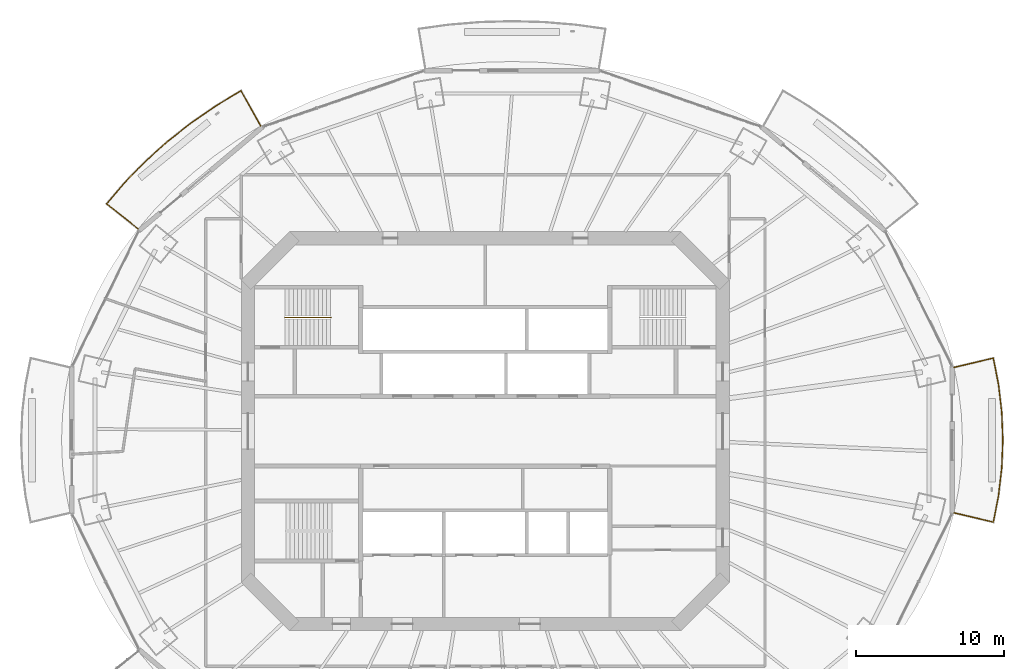
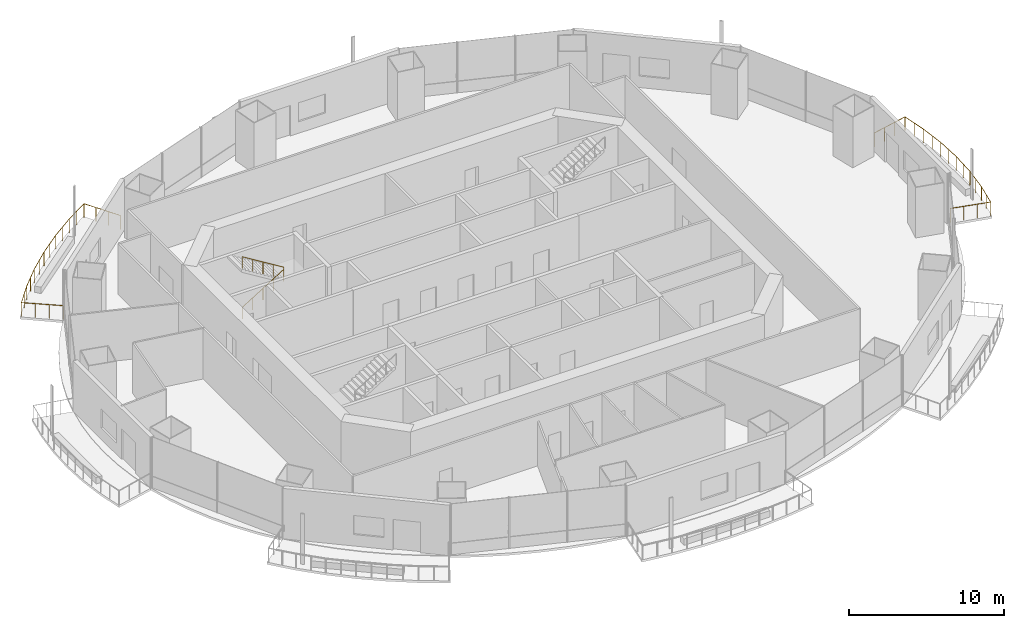
# One storey, part 16 of 19: 3 railings.
"""IFC4 building model written with IfcOpenShell, lengths in metres."""

from ifc_helpers import new_model, si_unit, direction, frame, origin, origin_2d, place, context, subcontext, project, spatial, circle, extrude, material, type_object, element, save


model = new_model("IFC4")

# Units and contexts
model_context = context("Model", 3, precision=1e-05, world=origin(), true_north=direction((0.0, 1.0)))
body_context = subcontext(model_context, "Body", "Model", "MODEL_VIEW")
ifc_project = project(units=[si_unit("LENGTHUNIT", "METRE"), si_unit("AREAUNIT", "SQUARE_METRE"), si_unit("VOLUMEUNIT", "CUBIC_METRE"), si_unit("PLANEANGLEUNIT", "RADIAN"), si_unit("MASSUNIT", "GRAM", prefix="KILO")], contexts=[model_context])

# Site, building, storey
site_placement = place(None, origin())
site = spatial("IfcSite", under=ifc_project, at=site_placement, CompositionType="ELEMENT")
building_placement = place(site_placement, origin())
building = spatial("IfcBuilding", under=site, at=building_placement, Name="Marenthal Gate Tower", CompositionType="ELEMENT")
storey_placement = place(building_placement, frame((0.0, 0.0, 235.75)))
storey = spatial("IfcBuildingStorey", under=building, at=storey_placement, Name="L52", CompositionType="ELEMENT", Elevation=235.75)

# Railings
ifc_material_1 = material(Name="Stainless steel", Category="steel")
railing_type_1 = type_object("IfcRailingType", Name="Balcony guard 1100", PredefinedType="GUARDRAIL", material=ifc_material_1)
railing_1_placement = place(storey_placement, frame((-23.397705078125, 13.64013671875, 0.0)))
element("IfcRailing", 1, at=railing_1_placement, inside=storey, type_object=railing_type_1, Name="Balcony guard L52 bay 6", PredefinedType="GUARDRAIL", context=body_context, shape_type="SweptSolid", body=[
    extrude(circle(Radius=0.02392578125, at=origin_2d()), frame((0.0, 0.0, 1.076171875), z_axis=(-0.782933460254, 0.62193132503, -0.014718143911), x_axis=(-0.621998698528, -0.783018275029, 0.0)), (0.0, 0.0, 1.0), 2.720458984375),
    extrude(circle(Radius=0.02392578125, at=origin_2d()), frame((-2.1298828125, 1.69189453125, 1.0361328125), z_axis=(0.649843765812, 0.760067812787, 0.0), x_axis=(-0.760067812787, 0.649843765812, 0.0)), (0.0, 0.0, 1.0), 1.889404296875),
    extrude(circle(Radius=0.02392578125, at=origin_2d()), frame((-0.902099609375, 3.1279296875, 1.0361328125), z_axis=(0.698634154887, 0.715479082591, 0.0), x_axis=(-0.715479082591, 0.698634154887, 0.0)), (0.0, 0.0, 1.0), 1.985595703125),
    extrude(circle(Radius=0.02392578125, at=origin_2d()), frame((0.485107421875, 4.548583984375, 1.0361328125), z_axis=(0.74429356056, 0.667852600286, 0.0), x_axis=(-0.667852600286, 0.74429356056, 0.0)), (0.0, 0.0, 1.0), 2.00244140625),
    extrude(circle(Radius=0.02392578125, at=origin_2d()), frame((1.9755859375, 5.885986328125, 1.0361328125), z_axis=(0.785705367394, 0.618600901752, 0.0), x_axis=(-0.618600901752, 0.785705367394, 0.0)), (0.0, 0.0, 1.0), 2.01904296875),
    extrude(circle(Radius=0.02392578125, at=origin_2d()), frame((3.56201171875, 7.135009765625, 1.0361328125), z_axis=(0.823162524927, 0.567805827335, 0.0), x_axis=(-0.567805827335, 0.823162524927, 0.0)), (0.0, 0.0, 1.0), 2.035400390625),
    extrude(circle(Radius=0.02392578125, at=origin_2d()), frame((5.237548828125, 8.290771484375, 1.0361328125), z_axis=(0.85600344742, 0.516970113262, 0.0), x_axis=(-0.516970113262, 0.85600344742, 0.0)), (0.0, 0.0, 1.0), 1.9716796875),
    extrude(circle(Radius=0.02392578125, at=origin_2d()), frame((6.92529296875, 9.31005859375, 1.0361328125), z_axis=(0.489935400912, -0.871634477681, 0.014718704112), x_axis=(0.87172890858, 0.489988479401, 0.0)), (0.0, 0.0, 1.0), 2.72021484375),
    extrude(circle(Radius=0.02099609375, at=origin_2d()), origin(), (0.0, 0.0, 1.0), 1.052001953125),
    extrude(circle(Radius=0.02099609375, at=origin_2d()), frame((-0.7099609375, 0.56396484375, -0.013427734375)), (0.0, 0.0, 1.0), 1.052001953125),
    extrude(circle(Radius=0.02099609375, at=origin_2d()), frame((-1.419921875, 1.1279296875, -0.026611328125)), (0.0, 0.0, 1.0), 1.052001953125),
    extrude(circle(Radius=0.02099609375, at=origin_2d()), frame((-2.1298828125, 1.69189453125, -0.0400390625)), (0.0, 0.0, 1.0), 1.052001953125),
    extrude(circle(Radius=0.02099609375, at=origin_2d()), frame((-1.51611328125, 2.409912109375, -0.0400390625)), (0.0, 0.0, 1.0), 1.052001953125),
    extrude(circle(Radius=0.02099609375, at=origin_2d()), frame((-0.902099609375, 3.1279296875, -0.0400390625)), (0.0, 0.0, 1.0), 1.052001953125),
    extrude(circle(Radius=0.02099609375, at=origin_2d()), frame((-0.20849609375, 3.83837890625, -0.0400390625)), (0.0, 0.0, 1.0), 1.052001953125),
    extrude(circle(Radius=0.02099609375, at=origin_2d()), frame((0.485107421875, 4.548583984375, -0.0400390625)), (0.0, 0.0, 1.0), 1.052001953125),
    extrude(circle(Radius=0.02099609375, at=origin_2d()), frame((1.23046875, 5.21728515625, -0.0400390625)), (0.0, 0.0, 1.0), 1.052001953125),
    extrude(circle(Radius=0.02099609375, at=origin_2d()), frame((1.9755859375, 5.885986328125, -0.0400390625)), (0.0, 0.0, 1.0), 1.052001953125),
    extrude(circle(Radius=0.02099609375, at=origin_2d()), frame((2.768798828125, 6.510498046875, -0.0400390625)), (0.0, 0.0, 1.0), 1.052001953125),
    extrude(circle(Radius=0.02099609375, at=origin_2d()), frame((3.56201171875, 7.135009765625, -0.0400390625)), (0.0, 0.0, 1.0), 1.052001953125),
    extrude(circle(Radius=0.02099609375, at=origin_2d()), frame((4.39990234375, 7.712890625, -0.0400390625)), (0.0, 0.0, 1.0), 1.052001953125),
    extrude(circle(Radius=0.02099609375, at=origin_2d()), frame((5.237548828125, 8.290771484375, -0.0400390625)), (0.0, 0.0, 1.0), 1.052001953125),
    extrude(circle(Radius=0.02099609375, at=origin_2d()), frame((6.08154296875, 8.80029296875, -0.0400390625)), (0.0, 0.0, 1.0), 1.052001953125),
    extrude(circle(Radius=0.02099609375, at=origin_2d()), frame((6.92529296875, 9.31005859375, -0.0400390625)), (0.0, 0.0, 1.0), 1.052001953125),
    extrude(circle(Radius=0.02099609375, at=origin_2d()), frame((7.36962890625, 8.519775390625, -0.026611328125)), (0.0, 0.0, 1.0), 1.052001953125),
    extrude(circle(Radius=0.02099609375, at=origin_2d()), frame((7.813720703125, 7.729248046875, -0.013427734375)), (0.0, 0.0, 1.0), 1.052001953125),
    extrude(circle(Radius=0.02099609375, at=origin_2d()), frame((8.258056640625, 6.93896484375, 0.0)), (0.0, 0.0, 1.0), 1.052001953125),
])
railing_2_placement = place(storey_placement, frame((31.599853515625, 4.300537109375, 0.0)))
element("IfcRailing", 2, at=railing_2_placement, inside=storey, type_object=railing_type_1, Name="Balcony guard L52 bay 16", PredefinedType="GUARDRAIL", context=body_context, shape_type="SweptSolid", body=[
    extrude(circle(Radius=0.02392578125, at=origin_2d()), frame((0.0, 0.0, 1.076171875), z_axis=(0.973052153091, 0.230114897669, -0.014718737604), x_axis=(-0.230139827907, 0.97315757183, 0.0)), (0.0, 0.0, 1.0), 2.72021484375),
    extrude(circle(Radius=0.02392578125, at=origin_2d()), frame((2.64697265625, 0.6259765625, 1.0361328125), z_axis=(0.191155100965, -0.981559844011, 0.0), x_axis=(0.981559844011, 0.191155100965, 0.0)), (0.0, 0.0, 1.0), 1.80859375),
    extrude(circle(Radius=0.02392578125, at=origin_2d()), frame((2.99267578125, -1.149169921875, 1.0361328125), z_axis=(0.116375051579, -0.993205339983, 0.0), x_axis=(0.993205339983, 0.116375051579, 0.0)), (0.0, 0.0, 1.0), 1.8837890625),
    extrude(circle(Radius=0.02392578125, at=origin_2d()), frame((3.2119140625, -3.020263671875, 1.0361328125), z_axis=(0.038921407749, -0.999242274936, 0.0), x_axis=(0.999242274936, 0.038921407749, 0.0)), (0.0, 0.0, 1.0), 1.8818359375),
    extrude(circle(Radius=0.02392578125, at=origin_2d()), frame((3.28515625, -4.900634765625, 1.0361328125), z_axis=(-0.038926454163, -0.999242078361, 0.0), x_axis=(0.999242078361, -0.038926454163, 0.0)), (0.0, 0.0, 1.0), 1.881591796875),
    extrude(circle(Radius=0.02392578125, at=origin_2d()), frame((3.2119140625, -6.78076171875, 1.0361328125), z_axis=(-0.116360074506, -0.99320709475, 0.0), x_axis=(0.99320709475, -0.116360074506, 0.0)), (0.0, 0.0, 1.0), 1.884033203125),
    extrude(circle(Radius=0.02392578125, at=origin_2d()), frame((2.99267578125, -8.652099609375, 1.0361328125), z_axis=(-0.191180433682, -0.98155491022, 0.0), x_axis=(0.98155491022, -0.191180433682, 0.0)), (0.0, 0.0, 1.0), 1.808349609375),
    extrude(circle(Radius=0.02392578125, at=origin_2d()), frame((2.64697265625, -10.427001953125, 1.0361328125), z_axis=(-0.973072245699, 0.230029899071, 0.014719041532), x_axis=(-0.23005482113, -0.97317767097, 0.0)), (0.0, 0.0, 1.0), 2.72021484375),
    extrude(circle(Radius=0.02099609375, at=origin_2d()), origin(), (0.0, 0.0, 1.0), 1.052001953125),
    extrude(circle(Radius=0.02099609375, at=origin_2d()), frame((0.88232421875, 0.208740234375, -0.013427734375)), (0.0, 0.0, 1.0), 1.052001953125),
    extrude(circle(Radius=0.02099609375, at=origin_2d()), frame((1.7646484375, 0.417236328125, -0.026611328125)), (0.0, 0.0, 1.0), 1.052001953125),
    extrude(circle(Radius=0.02099609375, at=origin_2d()), frame((2.64697265625, 0.6259765625, -0.0400390625)), (0.0, 0.0, 1.0), 1.052001953125),
    extrude(circle(Radius=0.02099609375, at=origin_2d()), frame((2.81982421875, -0.26171875, -0.0400390625)), (0.0, 0.0, 1.0), 1.052001953125),
    extrude(circle(Radius=0.02099609375, at=origin_2d()), frame((2.99267578125, -1.149169921875, -0.0400390625)), (0.0, 0.0, 1.0), 1.052001953125),
    extrude(circle(Radius=0.02099609375, at=origin_2d()), frame((3.102294921875, -2.084716796875, -0.0400390625)), (0.0, 0.0, 1.0), 1.052001953125),
    extrude(circle(Radius=0.02099609375, at=origin_2d()), frame((3.2119140625, -3.020263671875, -0.0400390625)), (0.0, 0.0, 1.0), 1.052001953125),
    extrude(circle(Radius=0.02099609375, at=origin_2d()), frame((3.24853515625, -3.96044921875, -0.0400390625)), (0.0, 0.0, 1.0), 1.052001953125),
    extrude(circle(Radius=0.02099609375, at=origin_2d()), frame((3.28515625, -4.900634765625, -0.0400390625)), (0.0, 0.0, 1.0), 1.052001953125),
    extrude(circle(Radius=0.02099609375, at=origin_2d()), frame((3.24853515625, -5.8408203125, -0.0400390625)), (0.0, 0.0, 1.0), 1.052001953125),
    extrude(circle(Radius=0.02099609375, at=origin_2d()), frame((3.2119140625, -6.78076171875, -0.0400390625)), (0.0, 0.0, 1.0), 1.052001953125),
    extrude(circle(Radius=0.02099609375, at=origin_2d()), frame((3.102294921875, -7.71630859375, -0.0400390625)), (0.0, 0.0, 1.0), 1.052001953125),
    extrude(circle(Radius=0.02099609375, at=origin_2d()), frame((2.99267578125, -8.652099609375, -0.0400390625)), (0.0, 0.0, 1.0), 1.052001953125),
    extrude(circle(Radius=0.02099609375, at=origin_2d()), frame((2.81982421875, -9.53955078125, -0.0400390625)), (0.0, 0.0, 1.0), 1.052001953125),
    extrude(circle(Radius=0.02099609375, at=origin_2d()), frame((2.64697265625, -10.427001953125, -0.0400390625)), (0.0, 0.0, 1.0), 1.052001953125),
    extrude(circle(Radius=0.02099609375, at=origin_2d()), frame((1.7646484375, -10.218505859375, -0.026611328125)), (0.0, 0.0, 1.0), 1.052001953125),
    extrude(circle(Radius=0.02099609375, at=origin_2d()), frame((0.88232421875, -10.009765625, -0.013427734375)), (0.0, 0.0, 1.0), 1.052001953125),
    extrude(circle(Radius=0.02099609375, at=origin_2d()), frame((0.0, -9.80126953125, 0.0)), (0.0, 0.0, 1.0), 1.052001953125),
])
ifc_material_2 = material(Name="Stainless steel", Category="steel")
railing_type_2 = type_object("IfcRailingType", Name="Stair handrail", PredefinedType="HANDRAIL", material=ifc_material_2)
railing_3_placement = place(storey_placement, frame((-13.5, 7.675048828125, 0.1728515625)))
element("IfcRailing", 3, at=railing_3_placement, inside=storey, type_object=railing_type_2, Name="Handrail ST1", PredefinedType="HANDRAIL", context=body_context, shape_type="SweptSolid", body=[
    extrude(circle(Radius=0.0224609375, at=origin_2d()), frame((0.0, 0.0, 0.927490234375), z_axis=(0.850835241893, 0.0, 0.525432575268), x_axis=(0.0, 1.0, 0.0)), (0.0, 0.0, 1.0), 3.6201171875),
    extrude(circle(Radius=0.0224609375, at=origin_2d()), frame((3.080078125, 0.0, 2.82958984375), z_axis=(0.0, 0.0, 1.0), x_axis=(1.0, 0.0, 0.0)), (0.0, 0.0, 1.0), 0.1728515625),
    extrude(circle(Radius=0.0224609375, at=origin_2d()), frame((3.080078125, 0.0, 3.00244140625), z_axis=(-0.850835241893, 0.0, 0.525432575268), x_axis=(0.0, -1.0, 0.0)), (0.0, 0.0, 1.0), 3.6201171875),
    extrude(circle(Radius=0.02001953125, at=origin_2d()), origin(), (0.0, 0.0, 1.0), 0.905029296875),
    extrude(circle(Radius=0.02001953125, at=origin_2d()), frame((0.77001953125, 0.0, 0.4755859375)), (0.0, 0.0, 1.0), 0.905029296875),
    extrude(circle(Radius=0.02001953125, at=origin_2d()), frame((1.5400390625, 0.0, 0.951171875)), (0.0, 0.0, 1.0), 0.905029296875),
    extrude(circle(Radius=0.02001953125, at=origin_2d()), frame((2.31005859375, 0.0, 1.426513671875)), (0.0, 0.0, 1.0), 0.905029296875),
    extrude(circle(Radius=0.02001953125, at=origin_2d()), frame((3.080078125, 0.0, 1.902099609375)), (0.0, 0.0, 1.0), 0.905029296875),
    extrude(circle(Radius=0.02001953125, at=origin_2d()), frame((3.080078125, 0.0, 2.074951171875)), (0.0, 0.0, 1.0), 0.905029296875),
    extrude(circle(Radius=0.02001953125, at=origin_2d()), frame((2.31005859375, 0.0, 2.550537109375)), (0.0, 0.0, 1.0), 0.905029296875),
    extrude(circle(Radius=0.02001953125, at=origin_2d()), frame((1.5400390625, 0.0, 3.02587890625)), (0.0, 0.0, 1.0), 0.905029296875),
    extrude(circle(Radius=0.02001953125, at=origin_2d()), frame((0.77001953125, 0.0, 3.50146484375)), (0.0, 0.0, 1.0), 0.905029296875),
    extrude(circle(Radius=0.02001953125, at=origin_2d()), frame((0.0, 0.0, 3.97705078125)), (0.0, 0.0, 1.0), 0.905029296875),
])

save(model, "model.ifc")
